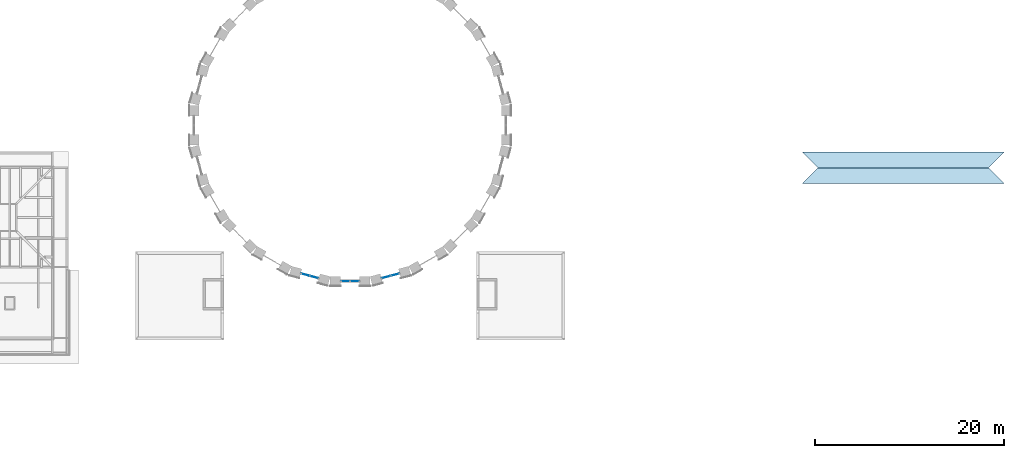
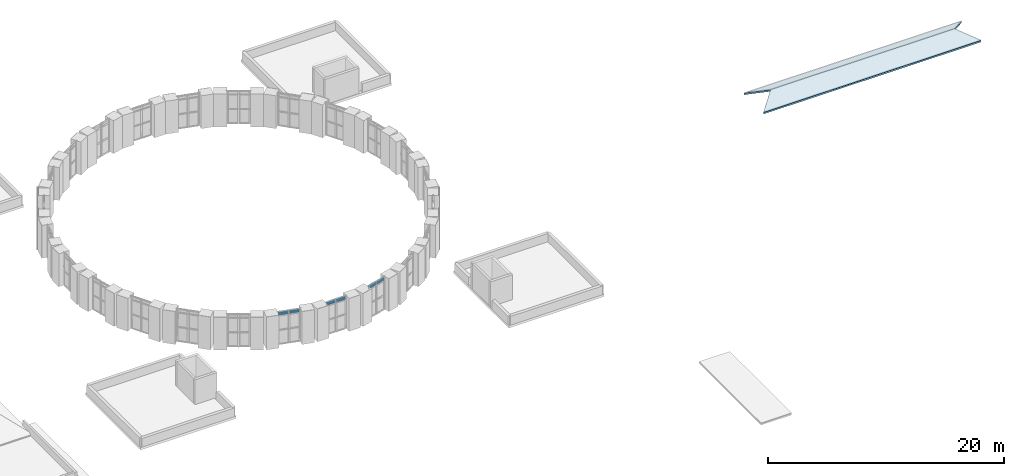
# One storey, part 22 of 42: 6 plates, 2 slabs, 3 elements without a shape of their own.
"""IFC4 building model written with IfcOpenShell, lengths in metres."""

from ifc_helpers import new_model, si_unit, direction, frame, origin, origin_2d, place, context, subcontext, project, spatial, polyline, rectangle, outline, extrude, material, layer, layer_set, type_object, element, aggregate, save


model = new_model("IFC4")

# Units and contexts
model_context = context("Model", 3, precision=1e-05, world=origin(), true_north=direction((0.0, 1.0)))
body_context = subcontext(model_context, "Body", "Model", "MODEL_VIEW")
ifc_project = project(units=[si_unit("LENGTHUNIT", "METRE"), si_unit("AREAUNIT", "SQUARE_METRE"), si_unit("VOLUMEUNIT", "CUBIC_METRE"), si_unit("PLANEANGLEUNIT", "RADIAN"), si_unit("MASSUNIT", "GRAM", prefix="KILO")], contexts=[model_context])

# Site, building, storey
site_placement = place(None, origin())
site = spatial("IfcSite", under=ifc_project, at=site_placement, CompositionType="ELEMENT")
building_placement = place(site_placement, origin())
building = spatial("IfcBuilding", under=site, at=building_placement, Name="Golden Quay Civic Hall", CompositionType="ELEMENT")
storey_placement = place(building_placement, frame((0.0, 0.0, 22.800048828125)))
storey = spatial("IfcBuildingStorey", under=building, at=storey_placement, Name="L05", CompositionType="ELEMENT", Elevation=22.800048828125)

# Slabs
ifc_material_1 = material(Name="Concrete C35/45", Category="concrete")
ifc_layer_1 = layer(ifc_material_1, 0.14990234375)
ifc_layer_set_1 = layer_set([ifc_layer_1], Name="Concrete roof deck 150, Concrete C35/45")
slab_type = type_object("IfcSlabType", Name="Concrete roof deck 150", PredefinedType="ROOF", material=ifc_layer_set_1)
slab_1_placement = place(storey_placement, frame((133.35009765625, 79.35009765625, -0.039794921875), z_axis=(0.0, -0.422694578549, 0.906272196013), x_axis=(1.0, 0.0, 0.0)))
element("IfcSlab", 1, at=slab_1_placement, inside=storey, type_object=slab_type, Name="Roof deck south crown cap", PredefinedType="ROOF", context=body_context, shape_type="SweptSolid", body=[
    extrude(outline(polyline([(0.0, 0.0), (21.2998046875, 0.0), (19.64990234375, 1.8205373076754856), (1.64990234375, 1.8205373076754856), (0.0, 0.0)])), origin(), (0.0, -0.422694578549, -0.906272196013), 0.16552734375),
])
slab_2_placement = place(storey_placement, frame((135.0, 81.0, 0.729736328125), z_axis=(0.0, 0.422694578549, 0.906272196013), x_axis=(1.0, 0.0, 0.0)))
element("IfcSlab", 2, at=slab_2_placement, inside=storey, type_object=slab_type, Name="Roof deck north crown cap", PredefinedType="ROOF", context=body_context, shape_type="SweptSolid", body=[
    extrude(outline(polyline([(0.0, 0.0), (18.0, 0.0), (19.64990234375, 1.8205373076754856), (-1.64990234375, 1.8205373076754856), (0.0, 0.0)])), origin(), (0.0, 0.422694578549, -0.906272196013), 0.16552734375),
])

# Curtain wall, plates
ifc_material_2 = material(Name="Glass, laminated double glazed", Category="glass")
ifc_layer_2 = layer(ifc_material_2, 0.199951171875)
ifc_layer_set_2 = layer_set([ifc_layer_2], Name="Glazed drum clerestory curtain wall")
curtain_wall_type = type_object("IfcCurtainWallType", Name="Glazed drum clerestory curtain wall", PredefinedType="NOTDEFINED", material=ifc_layer_set_2)
curtain_wall_1_placement = place(storey_placement, origin())
curtain_wall_1 = element("IfcCurtainWall", 3, at=curtain_wall_1_placement, inside=storey, type_object=curtain_wall_type, Name="Clerestory curtain wall 17", PredefinedType="NOTDEFINED")
ifc_material_3 = material(Name="Glass, laminated double glazed", Category="glass")
ifc_layer_3 = layer(ifc_material_3, 0.028076171875)
ifc_layer_set_3 = layer_set([ifc_layer_3], Name="Double glazed curtain wall panel 28")
plate_type = type_object("IfcPlateType", Name="Double glazed curtain wall panel 28", PredefinedType="CURTAIN_PANEL", material=ifc_layer_set_3)
plate_1_placement = place(storey_placement, frame((80.760986328125, 69.687744140625, 3.329833984375), z_axis=(0.0, 0.0, 1.0), x_axis=(0.965928857556, -0.258807731996, 0.0)))
plate_1 = element("IfcPlate", 4, at=plate_1_placement, type_object=plate_type, Name="CW5 panel 1.3", PredefinedType="CURTAIN_PANEL", context=body_context, shape_type="SweptSolid", body=[
    extrude(rectangle(XDim=0.909912109375, YDim=0.028076171875, at=origin_2d()), origin(), (0.0, 0.0, 1.0), 0.31005859375),
])
plate_2_placement = place(storey_placement, frame((81.697998046875, 69.436767578125, 3.329833984375), z_axis=(0.0, 0.0, 1.0), x_axis=(0.965928857556, -0.258807731996, 0.0)))
plate_2 = element("IfcPlate", 5, at=plate_2_placement, type_object=plate_type, Name="CW5 panel 2.3", PredefinedType="CURTAIN_PANEL", context=body_context, shape_type="SweptSolid", body=[
    extrude(rectangle(XDim=0.909912109375, YDim=0.028076171875, at=origin_2d()), origin(), (0.0, 0.0, 1.0), 0.31005859375),
])
aggregate(curtain_wall_1, [plate_1, plate_2])

curtain_wall_2_placement = place(storey_placement, origin())
curtain_wall_2 = element("IfcCurtainWall", 6, at=curtain_wall_2_placement, inside=storey, type_object=curtain_wall_type, Name="Clerestory curtain wall 18", PredefinedType="NOTDEFINED")
plate_3_placement = place(storey_placement, frame((85.014892578125, 69.0, 3.329833984375), z_axis=(0.0, 0.0, 1.0), x_axis=(1.0, 0.0, 0.0)))
plate_3 = element("IfcPlate", 7, at=plate_3_placement, type_object=plate_type, Name="CW5 panel 1.3", PredefinedType="CURTAIN_PANEL", context=body_context, shape_type="SweptSolid", body=[
    extrude(rectangle(XDim=0.909912109375, YDim=0.028076171875, at=origin_2d()), origin(), (0.0, 0.0, 1.0), 0.31005859375),
])
plate_4_placement = place(storey_placement, frame((85.985107421875, 69.0, 3.329833984375), z_axis=(0.0, 0.0, 1.0), x_axis=(1.0, 0.0, 0.0)))
plate_4 = element("IfcPlate", 8, at=plate_4_placement, type_object=plate_type, Name="CW5 panel 2.3", PredefinedType="CURTAIN_PANEL", context=body_context, shape_type="SweptSolid", body=[
    extrude(rectangle(XDim=0.909912109375, YDim=0.028076171875, at=origin_2d()), origin(), (0.0, 0.0, 1.0), 0.31005859375),
])
aggregate(curtain_wall_2, [plate_3, plate_4])

curtain_wall_3_placement = place(storey_placement, origin())
curtain_wall_3 = element("IfcCurtainWall", 9, at=curtain_wall_3_placement, inside=storey, type_object=curtain_wall_type, Name="Clerestory curtain wall 19", PredefinedType="NOTDEFINED")
plate_5_placement = place(storey_placement, frame((89.302001953125, 69.436767578125, 3.329833984375), z_axis=(0.0, 0.0, 1.0), x_axis=(0.965928857556, 0.258807731996, 0.0)))
plate_5 = element("IfcPlate", 10, at=plate_5_placement, type_object=plate_type, Name="CW5 panel 1.3", PredefinedType="CURTAIN_PANEL", context=body_context, shape_type="SweptSolid", body=[
    extrude(rectangle(XDim=0.909912109375, YDim=0.028076171875, at=origin_2d()), origin(), (0.0, 0.0, 1.0), 0.31005859375),
])
plate_6_placement = place(storey_placement, frame((90.239013671875, 69.687744140625, 3.329833984375), z_axis=(0.0, 0.0, 1.0), x_axis=(0.965928857556, 0.258807731996, 0.0)))
plate_6 = element("IfcPlate", 11, at=plate_6_placement, type_object=plate_type, Name="CW5 panel 2.3", PredefinedType="CURTAIN_PANEL", context=body_context, shape_type="SweptSolid", body=[
    extrude(rectangle(XDim=0.909912109375, YDim=0.028076171875, at=origin_2d()), origin(), (0.0, 0.0, 1.0), 0.31005859375),
])
aggregate(curtain_wall_3, [plate_5, plate_6])

save(model, "model.ifc")
